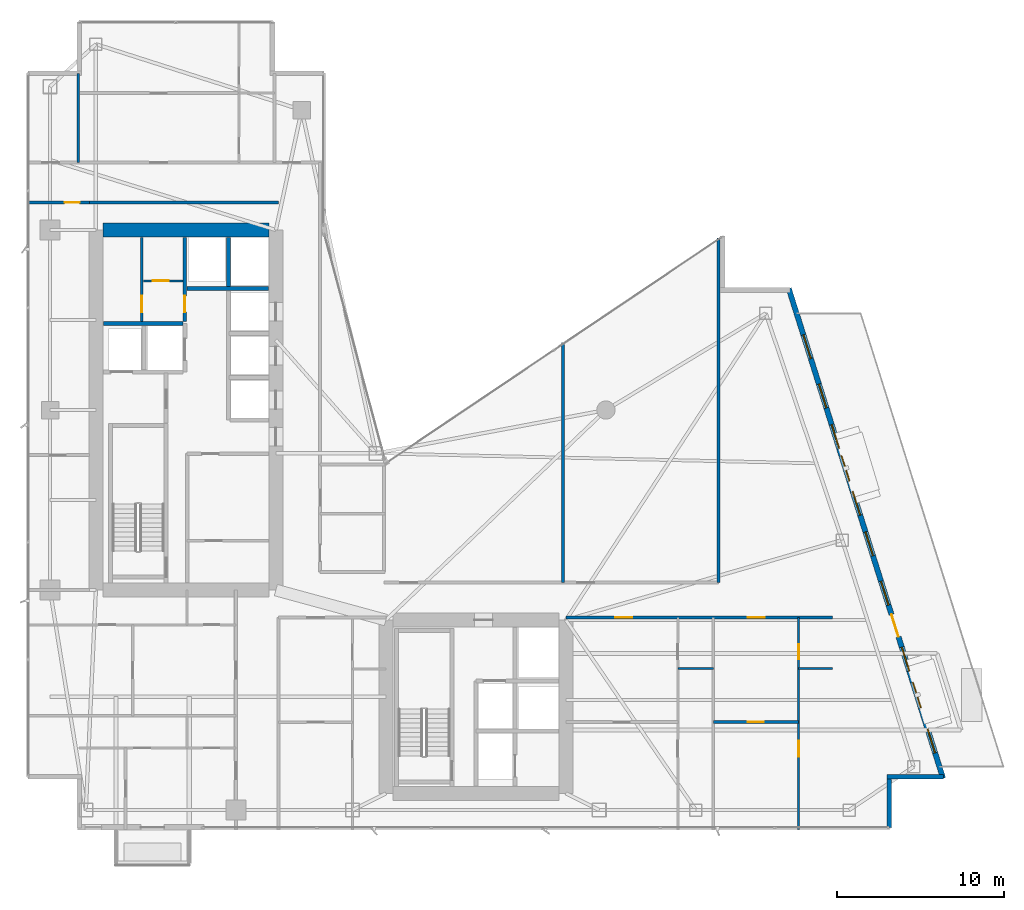
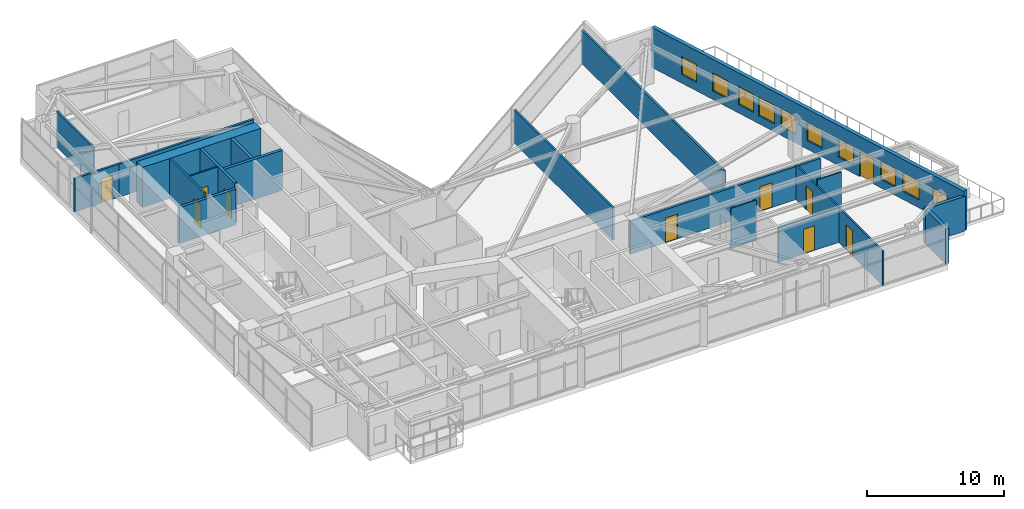
# One storey, part 26 of 30: 20 walls, 10 doors, 10 windows, 20 openings.
"""IFC4 building model written with IfcOpenShell, lengths in metres."""

from ifc_helpers import new_model, si_unit, direction, frame, frame_2d, origin, place, context, subcontext, project, spatial, rectangle, extrude, material, layer, layer_set, type_object, element, fill, save


model = new_model("IFC4")

# Units and contexts
model_context = context("Model", 3, precision=1e-05, world=origin(), true_north=direction((0.0, 1.0)))
body_context = subcontext(model_context, "Body", "Model", "MODEL_VIEW")
ifc_project = project(units=[si_unit("LENGTHUNIT", "METRE"), si_unit("AREAUNIT", "SQUARE_METRE"), si_unit("VOLUMEUNIT", "CUBIC_METRE"), si_unit("PLANEANGLEUNIT", "RADIAN"), si_unit("MASSUNIT", "GRAM", prefix="KILO")], contexts=[model_context])

# Site, building, storey
site_placement = place(None, origin())
site = spatial("IfcSite", under=ifc_project, at=site_placement, CompositionType="ELEMENT")
building_placement = place(site_placement, origin())
building = spatial("IfcBuilding", under=site, at=building_placement, Name="Calvorn Quay Hotel", CompositionType="ELEMENT")
storey_placement = place(building_placement, frame((0.0, 0.0, 191.300048828125)))
storey = spatial("IfcBuildingStorey", under=building, at=storey_placement, Name="L47", CompositionType="ELEMENT", Elevation=191.300048828125)

# Wall
ifc_material_1 = material(Name="Concrete C50", Category="concrete")
ifc_layer_1 = layer(ifc_material_1, 0.85009765625)
ifc_layer_set_1 = layer_set([ifc_layer_1], Name="WL-CORE-850")
wall_type_1 = type_object("IfcWallType", Name="WL-CORE-850", PredefinedType="SHEAR", material=ifc_layer_set_1)
wall_1_placement = place(storey_placement, frame((4.625, 38.39990234375, 0.0), z_axis=(0.0, 0.0, 1.0), x_axis=(1.0, 0.0, 0.0)))
element("IfcWall", 1, at=wall_1_placement, inside=storey, type_object=wall_type_1, Name="West Core Shear Wall N (L47)", PredefinedType="SHEAR", context=body_context, shape_type="SweptSolid", body=[
    extrude(rectangle(XDim=9.949951171875, YDim=0.85009765625, at=frame_2d((4.97509765625, 0.0))), origin(), (0.0, 0.0, 1.0), 3.56005859375),
])

# Wall, opening, door
ifc_material_2 = material(Name="Acoustic Fireboard Steel-Stud Partition", Category="steel")
ifc_layer_2 = layer(ifc_material_2, 0.179931640625)
ifc_layer_set_2 = layer_set([ifc_layer_2], Name="WL-CORR-FIRE-180")
wall_type_2 = type_object("IfcWallType", Name="WL-CORR-FIRE-180", PredefinedType="PARTITIONING", material=ifc_layer_set_2)
wall_2_placement = place(storey_placement, frame((0.080078125, 40.050048828125, 0.0), z_axis=(0.0, 0.0, 1.0), x_axis=(1.0, 0.0, 0.0)))
wall_2 = element("IfcWall", 2, at=wall_2_placement, inside=storey, type_object=wall_type_2, Name="Partition Wall L47-WL-WBAY-N-DOOR", PredefinedType="PARTITIONING", context=body_context, shape_type="SweptSolid", body=[
    extrude(rectangle(XDim=3.724853515625, YDim=0.179931640625, at=frame_2d((1.8623046875, 0.0))), origin(), (0.0, 0.0, 1.0), 2.93994140625),
])
opening_1_placement = place(wall_2_placement, frame((2.25, 0.0, 0.0)))
opening_1 = element("IfcOpeningElement", 3, at=opening_1_placement, cuts=wall_2, Name="Opening D-L47-WBN", PredefinedType="OPENING", context=body_context, shape_type="SweptSolid", body=[
    extrude(rectangle(XDim=0.89990234375, YDim=2.14990234375, at=frame_2d((0.449951171875, 1.074951171875))), frame((0.0, 0.099853515625, 0.0), z_axis=(0.0, -1.0, 0.0), x_axis=(1.0, 0.0, 0.0)), (0.0, 0.0, 1.0), 0.199951171875),
])
ifc_material_3 = material(Name="Moisture-Sealed Timber En-Suite Door", Category="wood")
door_type_1 = type_object("IfcDoorType", Name="DR-ENSUITE-900", OperationType="NOTDEFINED", PredefinedType="DOOR", material=ifc_material_3)
door_1_placement = place(opening_1_placement, origin())
door_1 = element("IfcDoor", 4, at=door_1_placement, inside=storey, type_object=door_type_1, Name="West North Bay Door (L47)", OperationType="SINGLE_SWING_LEFT", OverallHeight=2.14990234375, OverallWidth=0.89990234375, PredefinedType="DOOR", context=body_context, shape_type="SweptSolid", body=[
    extrude(rectangle(XDim=0.89990234375, YDim=2.14990234375, at=frame_2d((0.449951171875, 1.074951171875))), frame((0.0, 0.02490234375, 0.0), z_axis=(0.0, -1.0, 0.0), x_axis=(1.0, 0.0, 0.0)), (0.0, 0.0, 1.0), 0.050048828125),
])
fill(opening_1, door_1)

# Wall
wall_3_placement = place(storey_placement, frame((3.7548828125, 40.050048828125, 0.0), z_axis=(0.0, 0.0, 1.0), x_axis=(1.0, 0.0, 0.0)))
element("IfcWall", 5, at=wall_3_placement, inside=storey, type_object=wall_type_2, Name="Partition Wall L47-WL-W-SPUR-S", PredefinedType="PARTITIONING", context=body_context, shape_type="SweptSolid", body=[
    extrude(rectangle(XDim=11.39501953125, YDim=0.179931640625, at=frame_2d((5.697509765625, 0.0))), origin(), (0.0, 0.0, 1.0), 2.93994140625),
])

# Wall, openings, doors
wall_4_placement = place(storey_placement, frame((32.39990234375, 15.14990234375, 0.0), z_axis=(0.0, 0.0, 1.0), x_axis=(1.0, 0.0, 0.0)))
wall_4 = element("IfcWall", 6, at=wall_4_placement, inside=storey, type_object=wall_type_2, Name="Partition Wall L47-WL-CORR-SE-S", PredefinedType="PARTITIONING", context=body_context, shape_type="SweptSolid", body=[
    extrude(rectangle(XDim=16.0, YDim=0.179931640625, at=frame_2d((8.0, 0.0))), origin(), (0.0, 0.0, 1.0), 2.93994140625),
])
opening_2_placement = place(wall_4_placement, frame((2.949951171875, 0.0, 0.0)))
opening_2 = element("IfcOpeningElement", 7, at=opening_2_placement, cuts=wall_4, Name="Opening D-L47-U05", PredefinedType="OPENING", context=body_context, shape_type="SweptSolid", body=[
    extrude(rectangle(XDim=1.02001953125, YDim=2.199951171875, at=frame_2d((0.510009765625, 1.10009765625))), frame((0.0, 0.099853515625, 0.0), z_axis=(0.0, -1.0, 0.0), x_axis=(1.0, 0.0, 0.0)), (0.0, 0.0, 1.0), 0.199951171875),
])
opening_3_placement = place(wall_4_placement, frame((10.89990234375, 0.0, 0.0)))
opening_3 = element("IfcOpeningElement", 8, at=opening_3_placement, cuts=wall_4, Name="Opening D-L47-U06", PredefinedType="OPENING", context=body_context, shape_type="SweptSolid", body=[
    extrude(rectangle(XDim=1.02001953125, YDim=2.199951171875, at=frame_2d((0.510009765625, 1.10009765625))), frame((0.0, 0.099853515625, 0.0), z_axis=(0.0, -1.0, 0.0), x_axis=(1.0, 0.0, 0.0)), (0.0, 0.0, 1.0), 0.199951171875),
])
ifc_material_4 = material(Name="Solid-Core Walnut Veneer Hotel Fire Door")
door_type_2 = type_object("IfcDoorType", Name="DR-GUEST-ENTRY-1020", OperationType="NOTDEFINED", PredefinedType="DOOR", material=ifc_material_4)
door_2_placement = place(opening_2_placement, origin())
door_2 = element("IfcDoor", 9, at=door_2_placement, inside=storey, type_object=door_type_2, Name="South-East Unit Door U05 (L47)", OperationType="SINGLE_SWING_LEFT", OverallHeight=2.199951171875, OverallWidth=1.02001953125, PredefinedType="DOOR", context=body_context, shape_type="SweptSolid", body=[
    extrude(rectangle(XDim=1.02001953125, YDim=2.199951171875, at=frame_2d((0.510009765625, 1.10009765625))), frame((0.0, 0.02490234375, 0.0), z_axis=(0.0, -1.0, 0.0), x_axis=(1.0, 0.0, 0.0)), (0.0, 0.0, 1.0), 0.050048828125),
])
fill(opening_2, door_2)
door_3_placement = place(opening_3_placement, origin())
door_3 = element("IfcDoor", 10, at=door_3_placement, inside=storey, type_object=door_type_2, Name="South-East Unit Door U06 (L47)", OperationType="SINGLE_SWING_RIGHT", OverallHeight=2.199951171875, OverallWidth=1.02001953125, PredefinedType="DOOR", context=body_context, shape_type="SweptSolid", body=[
    extrude(rectangle(XDim=1.02001953125, YDim=2.199951171875, at=frame_2d((0.510009765625, 1.10009765625))), frame((0.0, 0.02490234375, 0.0), z_axis=(0.0, -1.0, 0.0), x_axis=(1.0, 0.0, 0.0)), (0.0, 0.0, 1.0), 0.050048828125),
])
fill(opening_3, door_3)

# Wall
wall_5_placement = place(storey_placement, frame((41.550048828125, 17.25, 0.0), z_axis=(0.0, 0.0, 1.0), x_axis=(0.0, 1.0, 0.0)))
element("IfcWall", 11, at=wall_5_placement, inside=storey, type_object=wall_type_2, Name="Partition Wall L47-WL-NE-END-E", PredefinedType="PARTITIONING", context=body_context, shape_type="SweptSolid", body=[
    extrude(rectangle(XDim=20.659912109375, YDim=0.179931640625, at=frame_2d((10.330078125, 0.0))), origin(), (0.0, 0.0, 1.0), 2.93994140625),
])

# Wall, opening, door
ifc_material_5 = material(Name="Moisture-Resistant Tile-Backed Partition")
ifc_layer_3 = layer(ifc_material_5, 0.125)
ifc_layer_set_3 = layer_set([ifc_layer_3], Name="WL-ENSUITE-125")
wall_type_3 = type_object("IfcWallType", Name="WL-ENSUITE-125", PredefinedType="PARTITIONING", material=ifc_layer_set_3)
wall_6_placement = place(storey_placement, frame((7.050048828125, 35.35009765625, 0.0), z_axis=(0.0, 0.0, 1.0), x_axis=(1.0, 0.0, 0.0)))
wall_6 = element("IfcWall", 12, at=wall_6_placement, inside=storey, type_object=wall_type_3, Name="Partition Wall L47-WL-CWW-K-H", PredefinedType="PARTITIONING", context=body_context, shape_type="SweptSolid", body=[
    extrude(rectangle(XDim=2.369873046875, YDim=0.125, at=frame_2d((1.18505859375, 0.0))), origin(), (0.0, 0.0, 1.0), 3.56005859375),
])
opening_4_placement = place(wall_6_placement, frame((0.550048828125, 0.0, 0.0)))
opening_4 = element("IfcOpeningElement", 13, at=opening_4_placement, cuts=wall_6, Name="Opening D-L47-CK3", PredefinedType="OPENING", context=body_context, shape_type="SweptSolid", body=[
    extrude(rectangle(XDim=0.97998046875, YDim=2.14990234375, at=frame_2d((0.489990234375, 1.074951171875))), frame((0.0, 0.072509765625, 0.0), z_axis=(0.0, -1.0, 0.0), x_axis=(1.0, 0.0, 0.0)), (0.0, 0.0, 1.0), 0.14501953125),
])
ifc_material_6 = material(Name="Painted Steel Housekeeping/Riser Fire Door", Category="steel")
door_type_3 = type_object("IfcDoorType", Name="DR-SERVICE-980", OperationType="NOTDEFINED", PredefinedType="DOOR", material=ifc_material_6)
door_4_placement = place(opening_4_placement, origin())
door_4 = element("IfcDoor", 14, at=door_4_placement, inside=storey, type_object=door_type_3, Name="Telecom Closet Door (L47)", OperationType="SINGLE_SWING_RIGHT", OverallHeight=2.14990234375, OverallWidth=0.97998046875, PredefinedType="DOOR", context=body_context, shape_type="SweptSolid", body=[
    extrude(rectangle(XDim=0.97998046875, YDim=2.14990234375, at=frame_2d((0.489990234375, 1.074951171875))), frame((0.0, 0.02490234375, 0.0), z_axis=(0.0, -1.0, 0.0), x_axis=(1.0, 0.0, 0.0)), (0.0, 0.0, 1.0), 0.050048828125),
])
fill(opening_4, door_4)

# Walls
wall_7_placement = place(storey_placement, frame((39.1201171875, 12.10009765625, 0.0), z_axis=(0.0, 0.0, 1.0), x_axis=(1.0, 0.0, 0.0)))
element("IfcWall", 15, at=wall_7_placement, inside=storey, type_object=wall_type_3, Name="Partition Wall L47-WL-U05-BDV", PredefinedType="PARTITIONING", context=body_context, shape_type="SweptSolid", body=[
    extrude(rectangle(XDim=2.1298828125, YDim=0.125, at=frame_2d((1.06494140625, 0.0))), origin(), (0.0, 0.0, 1.0), 3.56005859375),
])
wall_8_placement = place(storey_placement, frame((46.360107421875, 12.10009765625, 0.0), z_axis=(0.0, 0.0, 1.0), x_axis=(1.0, 0.0, 0.0)))
element("IfcWall", 16, at=wall_8_placement, inside=storey, type_object=wall_type_3, Name="Partition Wall L47-WL-U06-BDV", PredefinedType="PARTITIONING", context=body_context, shape_type="SweptSolid", body=[
    extrude(rectangle(XDim=2.039794921875, YDim=0.125, at=frame_2d((1.02001953125, 0.0))), origin(), (0.0, 0.0, 1.0), 3.56005859375),
])

# Wall, openings, doors
wall_9_placement = place(storey_placement, frame((46.360107421875, 2.43994140625, 0.0), z_axis=(0.0, 0.0, 1.0), x_axis=(0.0, 1.0, 0.0)))
wall_9 = element("IfcWall", 17, at=wall_9_placement, inside=storey, type_object=wall_type_3, Name="Partition Wall L47-WL-U06-BV", PredefinedType="PARTITIONING", context=body_context, shape_type="SweptSolid", body=[
    extrude(rectangle(XDim=12.7099609375, YDim=0.125, at=frame_2d((6.35498046875, 0.0))), origin(), (0.0, 0.0, 1.0), 3.08984375),
])
opening_5_placement = place(wall_9_placement, frame((4.35009765625, 0.0, 0.0)))
opening_5 = element("IfcOpeningElement", 18, at=opening_5_placement, cuts=wall_9, Name="Opening D-L47-S06", PredefinedType="OPENING", context=body_context, shape_type="SweptSolid", body=[
    extrude(rectangle(XDim=0.9599609375, YDim=2.199951171875, at=frame_2d((0.47998046875, 1.10009765625))), frame((0.0, 0.072509765625, 0.0), z_axis=(0.0, -1.0, 0.0), x_axis=(1.0, 0.0, 0.0)), (0.0, 0.0, 1.0), 0.14501953125),
])
opening_6_placement = place(wall_9_placement, frame((10.2099609375, 0.0, 0.0)))
opening_6 = element("IfcOpeningElement", 19, at=opening_6_placement, cuts=wall_9, Name="Opening D-L47-E06", PredefinedType="OPENING", context=body_context, shape_type="SweptSolid", body=[
    extrude(rectangle(XDim=0.89990234375, YDim=2.14990234375, at=frame_2d((0.449951171875, 1.074951171875))), frame((0.0, 0.072509765625, 0.0), z_axis=(0.0, -1.0, 0.0), x_axis=(1.0, 0.0, 0.0)), (0.0, 0.0, 1.0), 0.14501953125),
])
door_5_placement = place(opening_6_placement, origin())
door_5 = element("IfcDoor", 20, at=door_5_placement, inside=storey, type_object=door_type_1, Name="En-Suite Door 06", OperationType="SINGLE_SWING_RIGHT", OverallHeight=2.14990234375, OverallWidth=0.89990234375, PredefinedType="DOOR", context=body_context, shape_type="SweptSolid", body=[
    extrude(rectangle(XDim=0.89990234375, YDim=2.14990234375, at=frame_2d((0.449951171875, 1.074951171875))), frame((0.0, 0.02490234375, 0.0), z_axis=(0.0, -1.0, 0.0), x_axis=(1.0, 0.0, 0.0)), (0.0, 0.0, 1.0), 0.050048828125),
])
fill(opening_6, door_5)
ifc_material_7 = material(Name="Solid Timber Internal Suite Door", Category="wood")
door_type_4 = type_object("IfcDoorType", Name="DR-SUITE-INT-960", OperationType="NOTDEFINED", PredefinedType="DOOR", material=ifc_material_7)
door_6_placement = place(opening_5_placement, origin())
door_6 = element("IfcDoor", 21, at=door_6_placement, inside=storey, type_object=door_type_4, Name="Harbour Dining Den Door 06", OperationType="SINGLE_SWING_LEFT", OverallHeight=2.199951171875, OverallWidth=0.9599609375, PredefinedType="DOOR", context=body_context, shape_type="SweptSolid", body=[
    extrude(rectangle(XDim=0.9599609375, YDim=2.199951171875, at=frame_2d((0.47998046875, 1.10009765625))), frame((0.0, 0.02490234375, 0.0), z_axis=(0.0, -1.0, 0.0), x_axis=(1.0, 0.0, 0.0)), (0.0, 0.0, 1.0), 0.050048828125),
])
fill(opening_5, door_6)

# Walls
ifc_material_8 = material(Name="Concrete C40", Category="concrete")
ifc_layer_4 = layer(ifc_material_8, 0.320068359375)
ifc_layer_set_4 = layer_set([ifc_layer_4], Name="WL-EXT-SPANDREL-320")
wall_type_4 = type_object("IfcWallType", Name="WL-EXT-SPANDREL-320", PredefinedType="SOLIDWALL", material=ifc_layer_set_4)
wall_10_placement = place(storey_placement, frame((51.800048828125, 2.52001953125, 0.0), z_axis=(0.0, 0.0, 1.0), x_axis=(0.0, 1.0, 0.0)))
element("IfcWall", 22, at=wall_10_placement, inside=storey, type_object=wall_type_4, Name="Notched Corner Spandrel L47-SE1", PredefinedType="SOLIDWALL", context=body_context, shape_type="SweptSolid", body=[
    extrude(rectangle(XDim=2.93994140625, YDim=0.280029296875, at=frame_2d((1.469970703125, 0.0))), origin(), (0.0, 0.0, 1.0), 3.08984375),
])
wall_11_placement = place(storey_placement, frame((51.659912109375, 5.60009765625, 0.0), z_axis=(0.0, 0.0, 1.0), x_axis=(1.0, 0.0, 0.0)))
element("IfcWall", 23, at=wall_11_placement, inside=storey, type_object=wall_type_4, Name="Notched Corner Spandrel L47-SE2", PredefinedType="SOLIDWALL", context=body_context, shape_type="SweptSolid", body=[
    extrude(rectangle(XDim=3.380126953125, YDim=0.280029296875, at=frame_2d((1.68994140625, 0.0))), origin(), (0.0, 0.0, 1.0), 3.08984375),
])

# Wall, openings, door, windows
wall_12_placement = place(storey_placement, frame((55.030029296875, 5.5048828125, 0.0), z_axis=(0.0, 0.0, 1.0), x_axis=(-0.300509063924, 0.953778958931, 0.0)))
wall_12 = element("IfcWall", 24, at=wall_12_placement, inside=storey, type_object=wall_type_4, Name="East Stepped Waterfront Exterior Wall (L47)", PredefinedType="SOLIDWALL", context=body_context, shape_type="SweptSolid", body=[
    extrude(rectangle(XDim=30.814453125, YDim=0.320068359375, at=frame_2d((15.4072265625, 0.0))), origin(), (0.0, 0.0, 1.0), 3.56005859375),
])
opening_7_placement = place(wall_12_placement, frame((8.89990234375, 0.0, 0.0)))
opening_7 = element("IfcOpeningElement", 25, at=opening_7_placement, cuts=wall_12, Name="Opening DTR-L47", PredefinedType="OPENING", context=body_context, shape_type="SweptSolid", body=[
    extrude(rectangle(XDim=1.39990234375, YDim=2.25, at=frame_2d((0.699951171875, 1.125))), frame((0.0, 0.169921875, 0.0), z_axis=(0.0, -1.0, 0.0), x_axis=(1.0, 0.0, 0.0)), (0.0, 0.0, 1.0), 0.340087890625),
])
opening_8_placement = place(wall_12_placement, frame((4.43701171875, 0.0, 0.699951171875)))
opening_8 = element("IfcOpeningElement", 26, at=opening_8_placement, cuts=wall_12, Name="Opening WHD-L47-1", PredefinedType="OPENING", context=body_context, shape_type="SweptSolid", body=[
    extrude(rectangle(XDim=1.60009765625, YDim=1.64990234375, at=frame_2d((0.800048828125, 0.824951171875))), frame((0.0, 0.169921875, 0.0), z_axis=(0.0, -1.0, 0.0), x_axis=(1.0, 0.0, 0.0)), (0.0, 0.0, 1.0), 0.340087890625),
])
opening_9_placement = place(wall_12_placement, frame((18.696044921875, 0.0, 0.699951171875)))
opening_9 = element("IfcOpeningElement", 27, at=opening_9_placement, cuts=wall_12, Name="Opening WHD-L47-2", PredefinedType="OPENING", context=body_context, shape_type="SweptSolid", body=[
    extrude(rectangle(XDim=1.60009765625, YDim=1.64990234375, at=frame_2d((0.800048828125, 0.824951171875))), frame((0.0, 0.169921875, 0.0), z_axis=(0.0, -1.0, 0.0), x_axis=(1.0, 0.0, 0.0)), (0.0, 0.0, 1.0), 0.340087890625),
])
opening_10_placement = place(wall_12_placement, frame((1.60009765625, 0.0, 0.75)))
opening_10 = element("IfcOpeningElement", 28, at=opening_10_placement, cuts=wall_12, Name="Opening WG-L47-E1", PredefinedType="OPENING", context=body_context, shape_type="SweptSolid", body=[
    extrude(rectangle(XDim=1.5, YDim=1.60009765625, at=frame_2d((0.75, 0.800048828125))), frame((0.0, 0.169921875, 0.0), z_axis=(0.0, -1.0, 0.0), x_axis=(1.0, 0.0, 0.0)), (0.0, 0.0, 1.0), 0.340087890625),
])
opening_11_placement = place(wall_12_placement, frame((6.75, 0.0, 0.75)))
opening_11 = element("IfcOpeningElement", 29, at=opening_11_placement, cuts=wall_12, Name="Opening WG-L47-E2", PredefinedType="OPENING", context=body_context, shape_type="SweptSolid", body=[
    extrude(rectangle(XDim=1.5, YDim=1.60009765625, at=frame_2d((0.75, 0.800048828125))), frame((0.0, 0.169921875, 0.0), z_axis=(0.0, -1.0, 0.0), x_axis=(1.0, 0.0, 0.0)), (0.0, 0.0, 1.0), 0.340087890625),
])
opening_12_placement = place(wall_12_placement, frame((10.89990234375, 0.0, 0.75)))
opening_12 = element("IfcOpeningElement", 30, at=opening_12_placement, cuts=wall_12, Name="Opening WG-L47-E3", PredefinedType="OPENING", context=body_context, shape_type="SweptSolid", body=[
    extrude(rectangle(XDim=1.5, YDim=1.60009765625, at=frame_2d((0.75, 0.800048828125))), frame((0.0, 0.169921875, 0.0), z_axis=(0.0, -1.0, 0.0), x_axis=(1.0, 0.0, 0.0)), (0.0, 0.0, 1.0), 0.340087890625),
])
opening_13_placement = place(wall_12_placement, frame((14.0, 0.0, 0.75)))
opening_13 = element("IfcOpeningElement", 31, at=opening_13_placement, cuts=wall_12, Name="Opening WG-L47-E4", PredefinedType="OPENING", context=body_context, shape_type="SweptSolid", body=[
    extrude(rectangle(XDim=1.5, YDim=1.60009765625, at=frame_2d((0.75, 0.800048828125))), frame((0.0, 0.169921875, 0.0), z_axis=(0.0, -1.0, 0.0), x_axis=(1.0, 0.0, 0.0)), (0.0, 0.0, 1.0), 0.340087890625),
])
opening_14_placement = place(wall_12_placement, frame((16.550048828125, 0.0, 0.75)))
opening_14 = element("IfcOpeningElement", 32, at=opening_14_placement, cuts=wall_12, Name="Opening WG-L47-E5", PredefinedType="OPENING", context=body_context, shape_type="SweptSolid", body=[
    extrude(rectangle(XDim=1.5, YDim=1.60009765625, at=frame_2d((0.75, 0.800048828125))), frame((0.0, 0.169921875, 0.0), z_axis=(0.0, -1.0, 0.0), x_axis=(1.0, 0.0, 0.0)), (0.0, 0.0, 1.0), 0.340087890625),
])
opening_15_placement = place(wall_12_placement, frame((20.75, 0.0, 0.75)))
opening_15 = element("IfcOpeningElement", 33, at=opening_15_placement, cuts=wall_12, Name="Opening WG-L47-E6", PredefinedType="OPENING", context=body_context, shape_type="SweptSolid", body=[
    extrude(rectangle(XDim=1.5, YDim=1.60009765625, at=frame_2d((0.75, 0.800048828125))), frame((0.0, 0.169921875, 0.0), z_axis=(0.0, -1.0, 0.0), x_axis=(1.0, 0.0, 0.0)), (0.0, 0.0, 1.0), 0.340087890625),
])
opening_16_placement = place(wall_12_placement, frame((23.300048828125, 0.0, 0.75)))
opening_16 = element("IfcOpeningElement", 34, at=opening_16_placement, cuts=wall_12, Name="Opening WG-L47-E7", PredefinedType="OPENING", context=body_context, shape_type="SweptSolid", body=[
    extrude(rectangle(XDim=1.5, YDim=1.60009765625, at=frame_2d((0.75, 0.800048828125))), frame((0.0, 0.169921875, 0.0), z_axis=(0.0, -1.0, 0.0), x_axis=(1.0, 0.0, 0.0)), (0.0, 0.0, 1.0), 0.340087890625),
])
opening_17_placement = place(wall_12_placement, frame((26.39990234375, 0.0, 0.75)))
opening_17 = element("IfcOpeningElement", 35, at=opening_17_placement, cuts=wall_12, Name="Opening WG-L47-E8", PredefinedType="OPENING", context=body_context, shape_type="SweptSolid", body=[
    extrude(rectangle(XDim=1.5, YDim=1.60009765625, at=frame_2d((0.75, 0.800048828125))), frame((0.0, 0.169921875, 0.0), z_axis=(0.0, -1.0, 0.0), x_axis=(1.0, 0.0, 0.0)), (0.0, 0.0, 1.0), 0.340087890625),
])
ifc_material_9 = material(Name="Typhoon-Rated Low-E Aluminium Terrace Door", Category="aluminium")
door_type_5 = type_object("IfcDoorType", Name="DR-BALCONY-GLZ-1400", OperationType="NOTDEFINED", PredefinedType="DOOR", material=ifc_material_9)
door_7_placement = place(opening_7_placement, origin())
door_7 = element("IfcDoor", 36, at=door_7_placement, inside=storey, type_object=door_type_5, Name="Sawtooth Setback Terrace Door (L47)", OperationType="SINGLE_SWING_RIGHT", OverallHeight=2.25, OverallWidth=1.39990234375, PredefinedType="DOOR", context=body_context, shape_type="SweptSolid", body=[
    extrude(rectangle(XDim=1.39990234375, YDim=2.25, at=frame_2d((0.699951171875, 1.125))), frame((0.0, 0.02490234375, 0.0), z_axis=(0.0, -1.0, 0.0), x_axis=(1.0, 0.0, 0.0)), (0.0, 0.0, 1.0), 0.050048828125),
])
fill(opening_7, door_7)
ifc_material_10 = material(Name="Champagne-Bronze Aluminium Low-E Window", Category="aluminium")
window_type_1 = type_object("IfcWindowType", Name="WIN-GUEST-SIDE-1600x2100", PartitioningType="SINGLE_PANEL", PredefinedType="WINDOW", material=ifc_material_10)
window_1_placement = place(opening_8_placement, origin())
window_1 = element("IfcWindow", 37, at=window_1_placement, inside=storey, type_object=window_type_1, Name="Bay Hood Window L47-HOOD-1", OverallHeight=1.64990234375, OverallWidth=1.60009765625, PartitioningType="SINGLE_PANEL", PredefinedType="WINDOW", context=body_context, shape_type="SweptSolid", body=[
    extrude(rectangle(XDim=1.60009765625, YDim=1.64990234375, at=frame_2d((0.800048828125, 0.824951171875))), frame((0.0, 0.030029296875, 0.0), z_axis=(0.0, -1.0, 0.0), x_axis=(1.0, 0.0, 0.0)), (0.0, 0.0, 1.0), 0.06005859375),
])
fill(opening_8, window_1)
window_2_placement = place(opening_9_placement, origin())
window_2 = element("IfcWindow", 38, at=window_2_placement, inside=storey, type_object=window_type_1, Name="Bay Hood Window L47-HOOD-3", OverallHeight=1.64990234375, OverallWidth=1.60009765625, PartitioningType="SINGLE_PANEL", PredefinedType="WINDOW", context=body_context, shape_type="SweptSolid", body=[
    extrude(rectangle(XDim=1.60009765625, YDim=1.64990234375, at=frame_2d((0.800048828125, 0.824951171875))), frame((0.0, 0.030029296875, 0.0), z_axis=(0.0, -1.0, 0.0), x_axis=(1.0, 0.0, 0.0)), (0.0, 0.0, 1.0), 0.06005859375),
])
fill(opening_9, window_2)
ifc_material_11 = material(Name="Self-Closing Class B Fire Window")
window_type_2 = type_object("IfcWindowType", Name="WIN-REFUGE-1500x1600", PartitioningType="SINGLE_PANEL", PredefinedType="WINDOW", material=ifc_material_11)
window_3_placement = place(opening_10_placement, origin())
window_3 = element("IfcWindow", 39, at=window_3_placement, inside=storey, type_object=window_type_2, Name="East Facade Window L47-E1", OverallHeight=1.60009765625, OverallWidth=1.5, PartitioningType="SINGLE_PANEL", PredefinedType="WINDOW", context=body_context, shape_type="SweptSolid", body=[
    extrude(rectangle(XDim=1.5, YDim=1.60009765625, at=frame_2d((0.75, 0.800048828125))), frame((0.0, 0.030029296875, 0.0), z_axis=(0.0, -1.0, 0.0), x_axis=(1.0, 0.0, 0.0)), (0.0, 0.0, 1.0), 0.06005859375),
])
fill(opening_10, window_3)
window_4_placement = place(opening_11_placement, origin())
window_4 = element("IfcWindow", 40, at=window_4_placement, inside=storey, type_object=window_type_2, Name="East Facade Window L47-E2", OverallHeight=1.60009765625, OverallWidth=1.5, PartitioningType="SINGLE_PANEL", PredefinedType="WINDOW", context=body_context, shape_type="SweptSolid", body=[
    extrude(rectangle(XDim=1.5, YDim=1.60009765625, at=frame_2d((0.75, 0.800048828125))), frame((0.0, 0.030029296875, 0.0), z_axis=(0.0, -1.0, 0.0), x_axis=(1.0, 0.0, 0.0)), (0.0, 0.0, 1.0), 0.06005859375),
])
fill(opening_11, window_4)
window_5_placement = place(opening_12_placement, origin())
window_5 = element("IfcWindow", 41, at=window_5_placement, inside=storey, type_object=window_type_2, Name="East Facade Window L47-E3", OverallHeight=1.60009765625, OverallWidth=1.5, PartitioningType="SINGLE_PANEL", PredefinedType="WINDOW", context=body_context, shape_type="SweptSolid", body=[
    extrude(rectangle(XDim=1.5, YDim=1.60009765625, at=frame_2d((0.75, 0.800048828125))), frame((0.0, 0.030029296875, 0.0), z_axis=(0.0, -1.0, 0.0), x_axis=(1.0, 0.0, 0.0)), (0.0, 0.0, 1.0), 0.06005859375),
])
fill(opening_12, window_5)
window_6_placement = place(opening_13_placement, origin())
window_6 = element("IfcWindow", 42, at=window_6_placement, inside=storey, type_object=window_type_2, Name="East Facade Window L47-E4", OverallHeight=1.60009765625, OverallWidth=1.5, PartitioningType="SINGLE_PANEL", PredefinedType="WINDOW", context=body_context, shape_type="SweptSolid", body=[
    extrude(rectangle(XDim=1.5, YDim=1.60009765625, at=frame_2d((0.75, 0.800048828125))), frame((0.0, 0.030029296875, 0.0), z_axis=(0.0, -1.0, 0.0), x_axis=(1.0, 0.0, 0.0)), (0.0, 0.0, 1.0), 0.06005859375),
])
fill(opening_13, window_6)
window_7_placement = place(opening_14_placement, origin())
window_7 = element("IfcWindow", 43, at=window_7_placement, inside=storey, type_object=window_type_2, Name="East Facade Window L47-E5", OverallHeight=1.60009765625, OverallWidth=1.5, PartitioningType="SINGLE_PANEL", PredefinedType="WINDOW", context=body_context, shape_type="SweptSolid", body=[
    extrude(rectangle(XDim=1.5, YDim=1.60009765625, at=frame_2d((0.75, 0.800048828125))), frame((0.0, 0.030029296875, 0.0), z_axis=(0.0, -1.0, 0.0), x_axis=(1.0, 0.0, 0.0)), (0.0, 0.0, 1.0), 0.06005859375),
])
fill(opening_14, window_7)
window_8_placement = place(opening_15_placement, origin())
window_8 = element("IfcWindow", 44, at=window_8_placement, inside=storey, type_object=window_type_2, Name="East Facade Window L47-E6", OverallHeight=1.60009765625, OverallWidth=1.5, PartitioningType="SINGLE_PANEL", PredefinedType="WINDOW", context=body_context, shape_type="SweptSolid", body=[
    extrude(rectangle(XDim=1.5, YDim=1.60009765625, at=frame_2d((0.75, 0.800048828125))), frame((0.0, 0.030029296875, 0.0), z_axis=(0.0, -1.0, 0.0), x_axis=(1.0, 0.0, 0.0)), (0.0, 0.0, 1.0), 0.06005859375),
])
fill(opening_15, window_8)
window_9_placement = place(opening_16_placement, origin())
window_9 = element("IfcWindow", 45, at=window_9_placement, inside=storey, type_object=window_type_2, Name="East Facade Window L47-E7", OverallHeight=1.60009765625, OverallWidth=1.5, PartitioningType="SINGLE_PANEL", PredefinedType="WINDOW", context=body_context, shape_type="SweptSolid", body=[
    extrude(rectangle(XDim=1.5, YDim=1.60009765625, at=frame_2d((0.75, 0.800048828125))), frame((0.0, 0.030029296875, 0.0), z_axis=(0.0, -1.0, 0.0), x_axis=(1.0, 0.0, 0.0)), (0.0, 0.0, 1.0), 0.06005859375),
])
fill(opening_16, window_9)
window_10_placement = place(opening_17_placement, origin())
window_10 = element("IfcWindow", 46, at=window_10_placement, inside=storey, type_object=window_type_2, Name="East Facade Window L47-E8", OverallHeight=1.60009765625, OverallWidth=1.5, PartitioningType="SINGLE_PANEL", PredefinedType="WINDOW", context=body_context, shape_type="SweptSolid", body=[
    extrude(rectangle(XDim=1.5, YDim=1.60009765625, at=frame_2d((0.75, 0.800048828125))), frame((0.0, 0.030029296875, 0.0), z_axis=(0.0, -1.0, 0.0), x_axis=(1.0, 0.0, 0.0)), (0.0, 0.0, 1.0), 0.06005859375),
])
fill(opening_17, window_10)

# Wall, opening, door
ifc_material_12 = material(Name="Double-Stud Acoustic Gypsum Partition")
ifc_layer_5 = layer(ifc_material_12, 0.159912109375)
ifc_layer_set_5 = layer_set([ifc_layer_5], Name="WL-INTERSUITE-160")
wall_type_5 = type_object("IfcWallType", Name="WL-INTERSUITE-160", PredefinedType="PARTITIONING", material=ifc_layer_set_5)
wall_13_placement = place(storey_placement, frame((6.949951171875, 32.919921875, 0.0), z_axis=(0.0, 0.0, 1.0), x_axis=(0.0, 1.0, 0.0)))
wall_13 = element("IfcWall", 47, at=wall_13_placement, inside=storey, type_object=wall_type_5, Name="Partition Wall L47-WL-CWW-K-V", PredefinedType="PARTITIONING", context=body_context, shape_type="SweptSolid", body=[
    extrude(rectangle(XDim=5.03515625, YDim=0.159912109375, at=frame_2d((2.517578125, 0.0))), origin(), (0.0, 0.0, 1.0), 3.56005859375),
])
opening_18_placement = place(wall_13_placement, frame((0.550048828125, 0.0, 0.0)))
opening_18 = element("IfcOpeningElement", 48, at=opening_18_placement, cuts=wall_13, Name="Opening D-L47-CK1", PredefinedType="OPENING", context=body_context, shape_type="SweptSolid", body=[
    extrude(rectangle(XDim=0.97998046875, YDim=2.14990234375, at=frame_2d((0.489990234375, 1.074951171875))), frame((0.0, 0.08984375, 0.0), z_axis=(0.0, -1.0, 0.0), x_axis=(1.0, 0.0, 0.0)), (0.0, 0.0, 1.0), 0.179931640625),
])
door_8_placement = place(opening_18_placement, origin())
door_8 = element("IfcDoor", 49, at=door_8_placement, inside=storey, type_object=door_type_3, Name="Pipe Riser Door (L47)", OperationType="SINGLE_SWING_LEFT", OverallHeight=2.14990234375, OverallWidth=0.97998046875, PredefinedType="DOOR", context=body_context, shape_type="SweptSolid", body=[
    extrude(rectangle(XDim=0.97998046875, YDim=2.14990234375, at=frame_2d((0.489990234375, 1.074951171875))), frame((0.0, 0.02490234375, 0.0), z_axis=(0.0, -1.0, 0.0), x_axis=(1.0, 0.0, 0.0)), (0.0, 0.0, 1.0), 0.050048828125),
])
fill(opening_18, door_8)

# Wall
wall_14_placement = place(storey_placement, frame((3.14990234375, 42.449951171875, 0.0), z_axis=(0.0, 0.0, 1.0), x_axis=(0.0, 1.0, 0.0)))
element("IfcWall", 50, at=wall_14_placement, inside=storey, type_object=wall_type_5, Name="Partition Wall L47-WL-NW-DIV-W0", PredefinedType="PARTITIONING", context=body_context, shape_type="SweptSolid", body=[
    extrude(rectangle(XDim=5.35009765625, YDim=0.159912109375, at=frame_2d((2.675048828125, 0.0))), origin(), (0.0, 0.0, 1.0), 3.139892578125),
])

# Wall, opening, door
wall_15_placement = place(storey_placement, frame((41.25, 8.8798828125, 0.0), z_axis=(0.0, 0.0, 1.0), x_axis=(1.0, 0.0, 0.0)))
wall_15 = element("IfcWall", 51, at=wall_15_placement, inside=storey, type_object=wall_type_5, Name="Partition Wall L47-WL-U06-MSP", PredefinedType="PARTITIONING", context=body_context, shape_type="SweptSolid", body=[
    extrude(rectangle(XDim=5.110107421875, YDim=0.159912109375, at=frame_2d((2.55517578125, 0.0))), origin(), (0.0, 0.0, 1.0), 3.08984375),
])
opening_19_placement = place(wall_15_placement, frame((2.070068359375, 0.0, 0.0)))
opening_19 = element("IfcOpeningElement", 52, at=opening_19_placement, cuts=wall_15, Name="Opening D-L47-M06", PredefinedType="OPENING", context=body_context, shape_type="SweptSolid", body=[
    extrude(rectangle(XDim=0.9599609375, YDim=2.199951171875, at=frame_2d((0.47998046875, 1.10009765625))), frame((0.0, 0.08984375, 0.0), z_axis=(0.0, -1.0, 0.0), x_axis=(1.0, 0.0, 0.0)), (0.0, 0.0, 1.0), 0.179931640625),
])
door_9_placement = place(opening_19_placement, origin())
door_9 = element("IfcDoor", 53, at=door_9_placement, inside=storey, type_object=door_type_4, Name="Suite Bedroom Door 06", OperationType="SINGLE_SWING_LEFT", OverallHeight=2.199951171875, OverallWidth=0.9599609375, PredefinedType="DOOR", context=body_context, shape_type="SweptSolid", body=[
    extrude(rectangle(XDim=0.9599609375, YDim=2.199951171875, at=frame_2d((0.47998046875, 1.10009765625))), frame((0.0, 0.02490234375, 0.0), z_axis=(0.0, -1.0, 0.0), x_axis=(1.0, 0.0, 0.0)), (0.0, 0.0, 1.0), 0.050048828125),
])
fill(opening_19, door_9)

# Wall
wall_16_placement = place(storey_placement, frame((32.22998046875, 17.25, 0.0), z_axis=(0.0, 0.0, 1.0), x_axis=(0.0, 1.0, 0.0)))
element("IfcWall", 54, at=wall_16_placement, inside=storey, type_object=wall_type_5, Name="Partition Wall L47-WL-NE-DIV-1", PredefinedType="PARTITIONING", context=body_context, shape_type="SweptSolid", body=[
    extrude(rectangle(XDim=14.389892578125, YDim=0.159912109375, at=frame_2d((7.19482421875, 0.0))), origin(), (0.0, 0.0, 1.0), 2.93994140625),
])

# Wall, opening, door
ifc_material_13 = material(Name="Autoclaved Aerated Masonry Block", Category="masonry")
ifc_layer_6 = layer(ifc_material_13, 0.219970703125)
ifc_layer_set_6 = layer_set([ifc_layer_6], Name="WL-LOBBY-FIRE-220")
wall_type_6 = type_object("IfcWallType", Name="WL-LOBBY-FIRE-220", PredefinedType="SOLIDWALL", material=ifc_layer_set_6)
wall_17_placement = place(storey_placement, frame((9.5400390625, 32.919921875, 0.0), z_axis=(0.0, 0.0, 1.0), x_axis=(0.0, 1.0, 0.0)))
wall_17 = element("IfcWall", 55, at=wall_17_placement, inside=storey, type_object=wall_type_6, Name="Partition Wall L47-WL-CWW-K-E", PredefinedType="SOLIDWALL", context=body_context, shape_type="SweptSolid", body=[
    extrude(rectangle(XDim=5.03515625, YDim=0.219970703125, at=frame_2d((2.517578125, 0.0))), origin(), (0.0, 0.0, 1.0), 3.56005859375),
])
opening_20_placement = place(wall_17_placement, frame((0.550048828125, 0.0, 0.0)))
opening_20 = element("IfcOpeningElement", 56, at=opening_20_placement, cuts=wall_17, Name="Opening D-L47-CK2", PredefinedType="OPENING", context=body_context, shape_type="SweptSolid", body=[
    extrude(rectangle(XDim=0.97998046875, YDim=2.14990234375, at=frame_2d((0.489990234375, 1.074951171875))), frame((0.0, 0.119873046875, 0.0), z_axis=(0.0, -1.0, 0.0), x_axis=(1.0, 0.0, 0.0)), (0.0, 0.0, 1.0), 0.239990234375),
])
door_10_placement = place(opening_20_placement, origin())
door_10 = element("IfcDoor", 57, at=door_10_placement, inside=storey, type_object=door_type_3, Name="Valet Closet Door (L47)", OperationType="SINGLE_SWING_LEFT", OverallHeight=2.14990234375, OverallWidth=0.97998046875, PredefinedType="DOOR", context=body_context, shape_type="SweptSolid", body=[
    extrude(rectangle(XDim=0.97998046875, YDim=2.14990234375, at=frame_2d((0.489990234375, 1.074951171875))), frame((0.0, 0.02490234375, 0.0), z_axis=(0.0, -1.0, 0.0), x_axis=(1.0, 0.0, 0.0)), (0.0, 0.0, 1.0), 0.050048828125),
])
fill(opening_20, door_10)

# Walls
ifc_material_14 = material(Name="Concrete C40", Category="concrete")
ifc_layer_7 = layer(ifc_material_14, 0.239990234375)
ifc_layer_set_7 = layer_set([ifc_layer_7], Name="WL-SHAFT-240")
wall_type_7 = type_object("IfcWallType", Name="WL-SHAFT-240", PredefinedType="SOLIDWALL", material=ifc_layer_set_7)
wall_18_placement = place(storey_placement, frame((4.64501953125, 32.780029296875, 0.0), z_axis=(0.0, 0.0, 1.0), x_axis=(1.0, 0.0, 0.0)))
element("IfcWall", 58, at=wall_18_placement, inside=storey, type_object=wall_type_7, Name="Partition Wall L47-WL-CWW-SLW-N", PredefinedType="SOLIDWALL", context=body_context, shape_type="SweptSolid", body=[
    extrude(rectangle(XDim=4.77490234375, YDim=0.239990234375, at=frame_2d((2.387451171875, 0.0))), origin(), (0.0, 0.0, 1.0), 3.18994140625),
])
wall_19_placement = place(storey_placement, frame((9.659912109375, 34.89990234375, 0.0), z_axis=(0.0, 0.0, 1.0), x_axis=(1.0, 0.0, 0.0)))
element("IfcWall", 59, at=wall_19_placement, inside=storey, type_object=wall_type_7, Name="Partition Wall L47-WL-CWW-PLH-S", PredefinedType="SOLIDWALL", context=body_context, shape_type="SweptSolid", body=[
    extrude(rectangle(XDim=4.89501953125, YDim=0.239990234375, at=frame_2d((2.447509765625, 0.0))), origin(), (0.0, 0.0, 1.0), 3.56005859375),
])
wall_20_placement = place(storey_placement, frame((12.14990234375, 35.02001953125, 0.0), z_axis=(0.0, 0.0, 1.0), x_axis=(0.0, 1.0, 0.0)))
element("IfcWall", 60, at=wall_20_placement, inside=storey, type_object=wall_type_7, Name="Partition Wall L47-WL-CWW-PLH-DIV", PredefinedType="SOLIDWALL", context=body_context, shape_type="SweptSolid", body=[
    extrude(rectangle(XDim=2.93505859375, YDim=0.239990234375, at=frame_2d((1.467529296875, 0.0))), origin(), (0.0, 0.0, 1.0), 3.56005859375),
])

save(model, "model.ifc")
